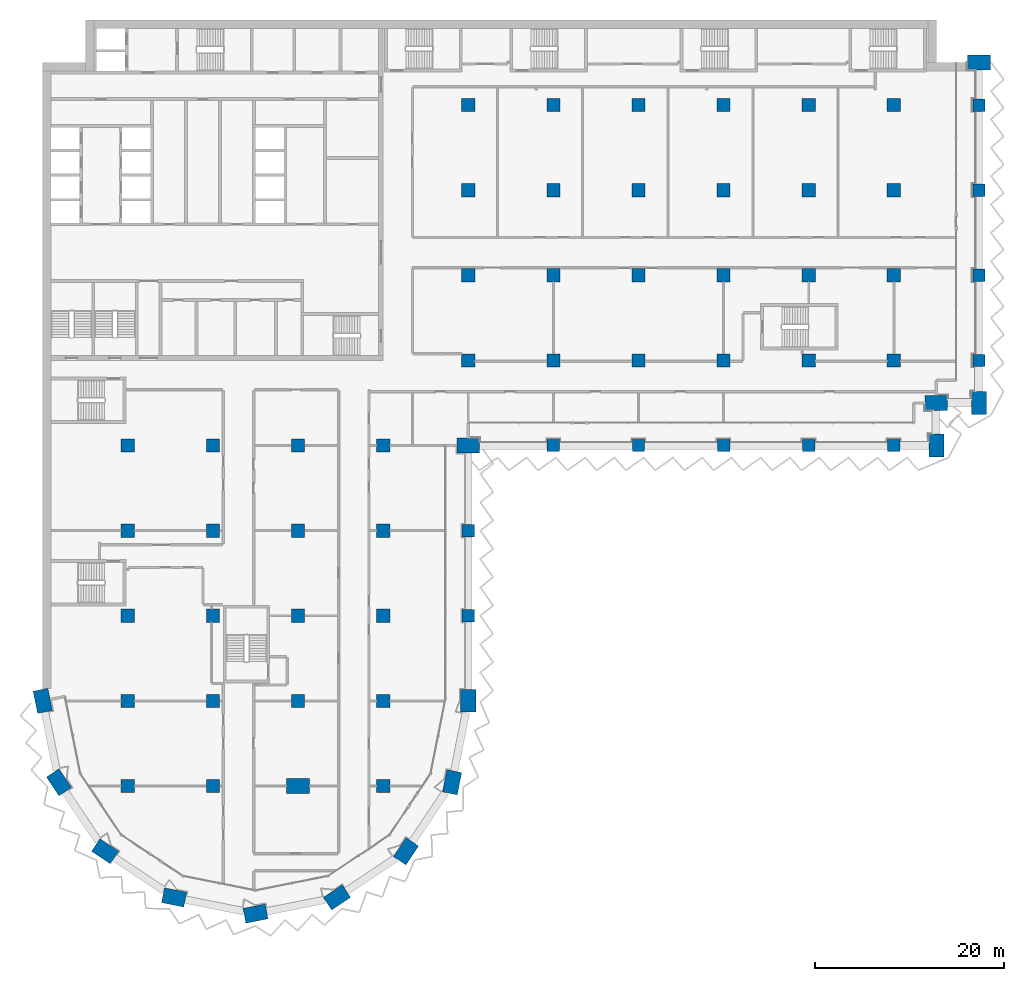
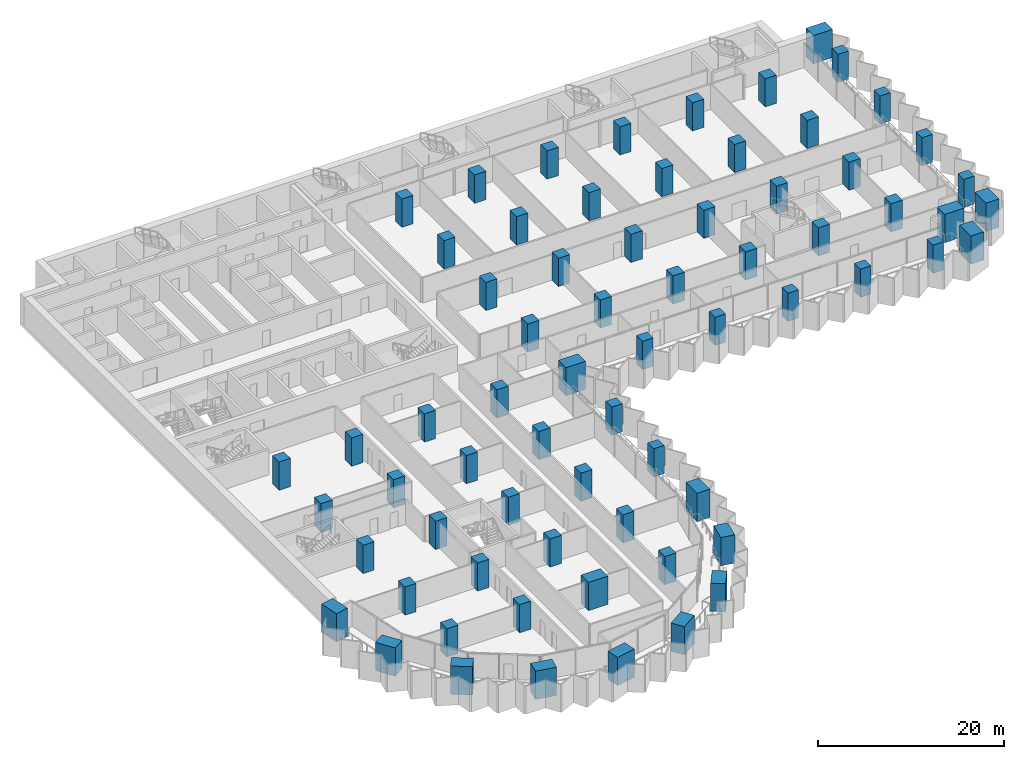
# One storey, part 1 of 29: 69 columns.
"""IFC4 building model written with IfcOpenShell, lengths in metres."""

from ifc_helpers import new_model, si_unit, direction, frame, origin, origin_2d, place, context, subcontext, project, spatial, rectangle, extrude, material, material_profile, profile_set, type_object, element, save


model = new_model("IFC4")

# Units and contexts
model_context = context("Model", 3, precision=1e-05, world=origin(), true_north=direction((0.0, 1.0)))
body_context = subcontext(model_context, "Body", "Model", "MODEL_VIEW")
ifc_project = project(units=[si_unit("LENGTHUNIT", "METRE"), si_unit("AREAUNIT", "SQUARE_METRE"), si_unit("VOLUMEUNIT", "CUBIC_METRE"), si_unit("PLANEANGLEUNIT", "RADIAN"), si_unit("MASSUNIT", "GRAM", prefix="KILO")], contexts=[model_context])

# Site, building, storey
site_placement = place(None, origin())
site = spatial("IfcSite", under=ifc_project, at=site_placement, CompositionType="ELEMENT")
building_placement = place(site_placement, origin())
building = spatial("IfcBuilding", under=site, at=building_placement, Name="Hunhe Ridgeline Campus", CompositionType="ELEMENT")
storey_placement = place(building_placement, frame((0.0, 0.0, 50.60009765625)))
storey = spatial("IfcBuildingStorey", under=building, at=storey_placement, Name="L11", CompositionType="ELEMENT", Elevation=50.60009765625)

# Columns
ifc_material = material(Name="Concrete C80", Category="concrete")
ifc_material_profile_1 = material_profile(ifc_material, rectangle(XDim=2.39990234375, YDim=1.60009765625, at=origin_2d()))
ifc_profile_set_1 = profile_set([ifc_material_profile_1], Name="Concrete C80")
column_type_1 = type_object("IfcColumnType", Name="Megacolumn 2400x1600 Concrete C80", PredefinedType="COLUMN", material=ifc_profile_set_1)
for number, where, z_axis, x_axis, name in (
    (1, (22.5, 4.5, 0.0), (0.0, 0.0, 1.0), (0.980785280403, 0.195090322016, 0.0), "Column C3 R1 L11"),
    (2, (13.8896484375, 6.212646484375, 0.0), (0.0, 0.0, 1.0), (-0.980785280403, 0.195090322016, 0.0), "Column C3 R2 L11"),
    (3, (31.1103515625, 6.212646484375, 0.0), (0.0, 0.0, 1.0), (0.831469612303, 0.55557023302, 0.0), "Column C3 R3 L11"),
    (4, (6.590087890625, 11.090087890625, 0.0), (0.0, 0.0, 1.0), (-0.831469612303, 0.55557023302, 0.0), "Column C3 R4 L11"),
    (5, (38.409912109375, 11.090087890625, 0.0), (0.0, 0.0, 1.0), (0.55557023302, 0.831469612303, 0.0), "Column C3 R5 L11"),
    (6, (1.712646484375, 18.3896484375, 0.0), (0.0, 0.0, 1.0), (-0.55557023302, 0.831469612303, 0.0), "Column C3 R9 L11"),
    (7, (43.287353515625, 18.3896484375, 0.0), (0.0, 0.0, 1.0), (0.195090322016, 0.980785280403, 0.0), "Column C3 R10 L11"),
    (8, (0.0, 27.0, 0.0), (0.0, 0.0, 1.0), (-0.195090322016, 0.980785280403, 0.0), "Column C3 D1 L11"),
    (9, (45.0, 27.0, 0.0), (0.0, 0.0, 1.0), (0.0, 1.0, 0.0), "Column C3 D6 L11"),
    (10, (45.0, 54.0, 0.0), (0.0, 0.0, 1.0), (1.0, 0.0, 0.0), "Column C3 G6 L11"),
    (11, (94.5, 54.0, 0.0), (0.0, 0.0, 1.0), (0.0, 1.0, 0.0), "Column C3 R32 L11"),
    (12, (94.5, 58.5, 0.0), (0.0, 0.0, 1.0), (1.0, 0.0, 0.0), "Column C3 R39 L11"),
    (13, (99.0, 58.5, 0.0), (0.0, 0.0, 1.0), (0.0, 1.0, 0.0), "Column C3 R40 L11"),
    (14, (99.0, 94.5, 0.0), (0.0, 0.0, 1.0), (1.0, 0.0, 0.0), "Column C3 R44 L11"),
    (15, (27.0, 18.0, 0.0), (0.0, 0.0, 1.0), (1.0, 0.0, 0.0), "Column C3 C4 L11"),
):
    element("IfcColumn", number, at=place(storey_placement, frame(where, z_axis=z_axis, x_axis=x_axis)), inside=storey, type_object=column_type_1, Name=name, PredefinedType="COLUMN", context=body_context, shape_type="SweptSolid", body=[
        extrude(rectangle(XDim=2.39990234375, YDim=1.60009765625, at=origin_2d()), origin(), (0.0, 0.0, 1.0), 3.699951171875),
    ])
ifc_material_profile_2 = material_profile(ifc_material, rectangle(XDim=1.300048828125, YDim=1.300048828125, at=origin_2d()))
ifc_profile_set_2 = profile_set([ifc_material_profile_2], Name="Concrete C80")
column_type_2 = type_object("IfcColumnType", Name="RC column 1300x1300 Concrete C80", PredefinedType="COLUMN", material=ifc_profile_set_2)
for number, where, z_axis, x_axis, name in (
    (16, (45.0, 36.0, 0.0), (0.0, 0.0, 1.0), (1.0, 0.0, 0.0), "Column C4 E6 L11"),
    (17, (45.0, 45.0, 0.0), (0.0, 0.0, 1.0), (1.0, 0.0, 0.0), "Column C4 F6 L11"),
    (18, (54.0, 54.0, 0.0), (0.0, 0.0, 1.0), (1.0, 0.0, 0.0), "Column C4 G7 L11"),
    (19, (63.0, 54.0, 0.0), (0.0, 0.0, 1.0), (1.0, 0.0, 0.0), "Column C4 G8 L11"),
    (20, (72.0, 54.0, 0.0), (0.0, 0.0, 1.0), (1.0, 0.0, 0.0), "Column C4 G9 L11"),
    (21, (81.0, 54.0, 0.0), (0.0, 0.0, 1.0), (1.0, 0.0, 0.0), "Column C4 G10 L11"),
    (22, (90.0, 54.0, 0.0), (0.0, 0.0, 1.0), (1.0, 0.0, 0.0), "Column C4 G11 L11"),
    (23, (99.0, 63.0, 0.0), (0.0, 0.0, 1.0), (1.0, 0.0, 0.0), "Column C4 H12 L11"),
    (24, (99.0, 72.0, 0.0), (0.0, 0.0, 1.0), (1.0, 0.0, 0.0), "Column C4 I12 L11"),
    (25, (99.0, 81.0, 0.0), (0.0, 0.0, 1.0), (1.0, 0.0, 0.0), "Column C4 J12 L11"),
    (26, (99.0, 90.0, 0.0), (0.0, 0.0, 1.0), (1.0, 0.0, 0.0), "Column C4 K12 L11"),
):
    element("IfcColumn", number, at=place(storey_placement, frame(where, z_axis=z_axis, x_axis=x_axis)), inside=storey, type_object=column_type_2, Name=name, PredefinedType="COLUMN", context=body_context, shape_type="SweptSolid", body=[
        extrude(rectangle(XDim=1.300048828125, YDim=1.300048828125, at=origin_2d()), origin(), (0.0, 0.0, 1.0), 3.699951171875),
    ])
ifc_material_profile_3 = material_profile(ifc_material, rectangle(XDim=1.39990234375, YDim=1.39990234375, at=origin_2d()))
ifc_profile_set_3 = profile_set([ifc_material_profile_3], Name="Concrete C80")
column_type_3 = type_object("IfcColumnType", Name="RC column 1400x1400 Concrete C80", PredefinedType="COLUMN", material=ifc_profile_set_3)
for number, where, z_axis, x_axis, name in (
    (27, (9.0, 18.0, 0.0), (0.0, 0.0, 1.0), (1.0, 0.0, 0.0), "Column C5 C2 L11"),
    (28, (9.0, 27.0, 0.0), (0.0, 0.0, 1.0), (1.0, 0.0, 0.0), "Column C5 D2 L11"),
    (29, (9.0, 36.0, 0.0), (0.0, 0.0, 1.0), (1.0, 0.0, 0.0), "Column C5 E2 L11"),
    (30, (9.0, 45.0, 0.0), (0.0, 0.0, 1.0), (1.0, 0.0, 0.0), "Column C5 F2 L11"),
    (31, (9.0, 54.0, 0.0), (0.0, 0.0, 1.0), (1.0, 0.0, 0.0), "Column C5 G2 L11"),
    (32, (18.0, 18.0, 0.0), (0.0, 0.0, 1.0), (1.0, 0.0, 0.0), "Column C5 C3 L11"),
    (33, (18.0, 27.0, 0.0), (0.0, 0.0, 1.0), (1.0, 0.0, 0.0), "Column C5 D3 L11"),
    (34, (18.0, 36.0, 0.0), (0.0, 0.0, 1.0), (1.0, 0.0, 0.0), "Column C5 E3 L11"),
    (35, (18.0, 45.0, 0.0), (0.0, 0.0, 1.0), (1.0, 0.0, 0.0), "Column C5 F3 L11"),
    (36, (18.0, 54.0, 0.0), (0.0, 0.0, 1.0), (1.0, 0.0, 0.0), "Column C5 G3 L11"),
    (37, (27.0, 27.0, 0.0), (0.0, 0.0, 1.0), (1.0, 0.0, 0.0), "Column C5 D4 L11"),
    (38, (27.0, 36.0, 0.0), (0.0, 0.0, 1.0), (1.0, 0.0, 0.0), "Column C5 E4 L11"),
    (39, (27.0, 45.0, 0.0), (0.0, 0.0, 1.0), (1.0, 0.0, 0.0), "Column C5 F4 L11"),
    (40, (27.0, 54.0, 0.0), (0.0, 0.0, 1.0), (1.0, 0.0, 0.0), "Column C5 G4 L11"),
    (41, (36.0, 18.0, 0.0), (0.0, 0.0, 1.0), (1.0, 0.0, 0.0), "Column C5 C5 L11"),
    (42, (36.0, 27.0, 0.0), (0.0, 0.0, 1.0), (1.0, 0.0, 0.0), "Column C5 D5 L11"),
    (43, (36.0, 36.0, 0.0), (0.0, 0.0, 1.0), (1.0, 0.0, 0.0), "Column C5 E5 L11"),
    (44, (36.0, 45.0, 0.0), (0.0, 0.0, 1.0), (1.0, 0.0, 0.0), "Column C5 F5 L11"),
    (45, (36.0, 54.0, 0.0), (0.0, 0.0, 1.0), (1.0, 0.0, 0.0), "Column C5 G5 L11"),
    (46, (45.0, 63.0, 0.0), (0.0, 0.0, 1.0), (1.0, 0.0, 0.0), "Column C5 H6 L11"),
    (47, (45.0, 72.0, 0.0), (0.0, 0.0, 1.0), (1.0, 0.0, 0.0), "Column C5 I6 L11"),
    (48, (45.0, 81.0, 0.0), (0.0, 0.0, 1.0), (1.0, 0.0, 0.0), "Column C5 J6 L11"),
    (49, (45.0, 90.0, 0.0), (0.0, 0.0, 1.0), (1.0, 0.0, 0.0), "Column C5 K6 L11"),
    (50, (54.0, 63.0, 0.0), (0.0, 0.0, 1.0), (1.0, 0.0, 0.0), "Column C5 H7 L11"),
    (51, (54.0, 72.0, 0.0), (0.0, 0.0, 1.0), (1.0, 0.0, 0.0), "Column C5 I7 L11"),
    (52, (54.0, 81.0, 0.0), (0.0, 0.0, 1.0), (1.0, 0.0, 0.0), "Column C5 J7 L11"),
    (53, (54.0, 90.0, 0.0), (0.0, 0.0, 1.0), (1.0, 0.0, 0.0), "Column C5 K7 L11"),
    (54, (63.0, 63.0, 0.0), (0.0, 0.0, 1.0), (1.0, 0.0, 0.0), "Column C5 H8 L11"),
    (55, (63.0, 72.0, 0.0), (0.0, 0.0, 1.0), (1.0, 0.0, 0.0), "Column C5 I8 L11"),
    (56, (63.0, 81.0, 0.0), (0.0, 0.0, 1.0), (1.0, 0.0, 0.0), "Column C5 J8 L11"),
    (57, (63.0, 90.0, 0.0), (0.0, 0.0, 1.0), (1.0, 0.0, 0.0), "Column C5 K8 L11"),
    (58, (72.0, 63.0, 0.0), (0.0, 0.0, 1.0), (1.0, 0.0, 0.0), "Column C5 H9 L11"),
    (59, (72.0, 72.0, 0.0), (0.0, 0.0, 1.0), (1.0, 0.0, 0.0), "Column C5 I9 L11"),
    (60, (72.0, 81.0, 0.0), (0.0, 0.0, 1.0), (1.0, 0.0, 0.0), "Column C5 J9 L11"),
    (61, (72.0, 90.0, 0.0), (0.0, 0.0, 1.0), (1.0, 0.0, 0.0), "Column C5 K9 L11"),
    (62, (81.0, 63.0, 0.0), (0.0, 0.0, 1.0), (1.0, 0.0, 0.0), "Column C5 H10 L11"),
    (63, (81.0, 72.0, 0.0), (0.0, 0.0, 1.0), (1.0, 0.0, 0.0), "Column C5 I10 L11"),
    (64, (81.0, 81.0, 0.0), (0.0, 0.0, 1.0), (1.0, 0.0, 0.0), "Column C5 J10 L11"),
    (65, (81.0, 90.0, 0.0), (0.0, 0.0, 1.0), (1.0, 0.0, 0.0), "Column C5 K10 L11"),
    (66, (90.0, 63.0, 0.0), (0.0, 0.0, 1.0), (1.0, 0.0, 0.0), "Column C5 H11 L11"),
    (67, (90.0, 72.0, 0.0), (0.0, 0.0, 1.0), (1.0, 0.0, 0.0), "Column C5 I11 L11"),
    (68, (90.0, 81.0, 0.0), (0.0, 0.0, 1.0), (1.0, 0.0, 0.0), "Column C5 J11 L11"),
    (69, (90.0, 90.0, 0.0), (0.0, 0.0, 1.0), (1.0, 0.0, 0.0), "Column C5 K11 L11"),
):
    element("IfcColumn", number, at=place(storey_placement, frame(where, z_axis=z_axis, x_axis=x_axis)), inside=storey, type_object=column_type_3, Name=name, PredefinedType="COLUMN", context=body_context, shape_type="SweptSolid", body=[
        extrude(rectangle(XDim=1.39990234375, YDim=1.39990234375, at=origin_2d()), origin(), (0.0, 0.0, 1.0), 3.699951171875),
    ])

save(model, "model.ifc")
